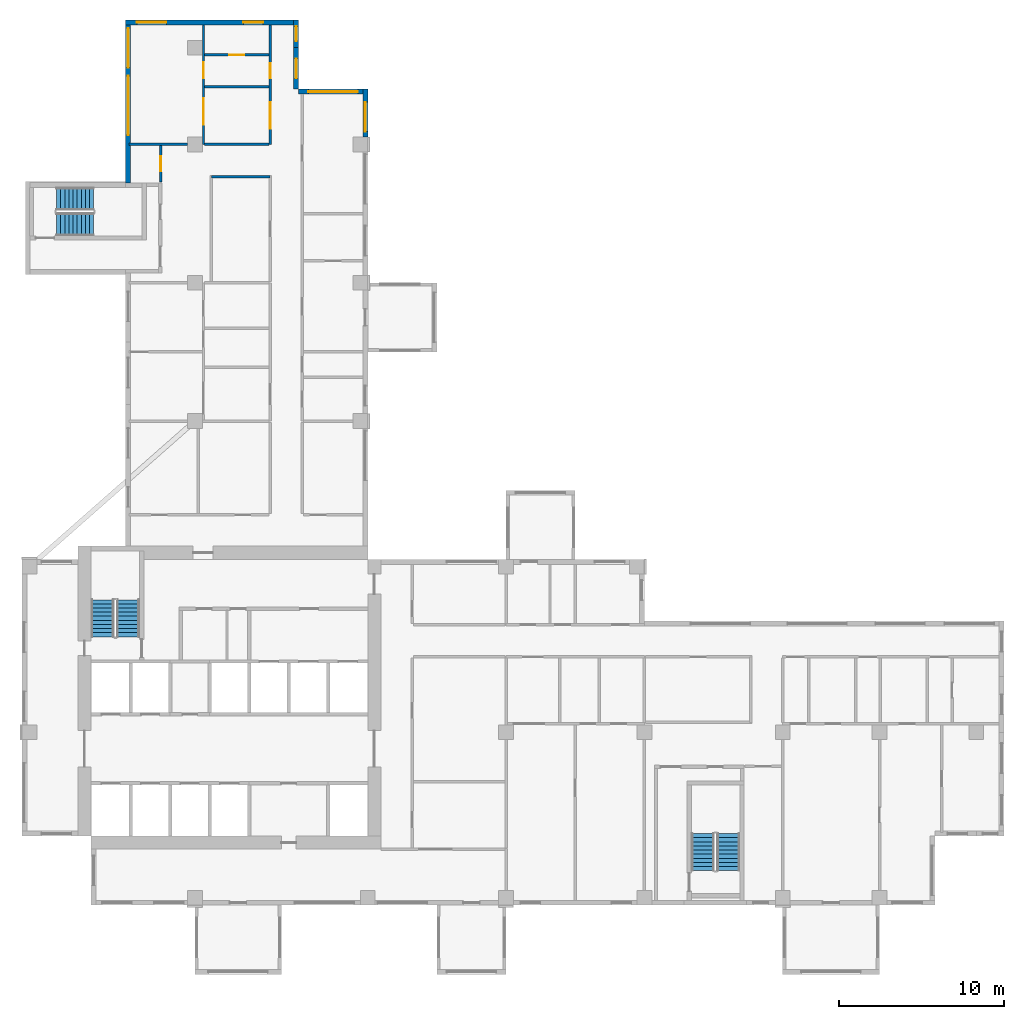
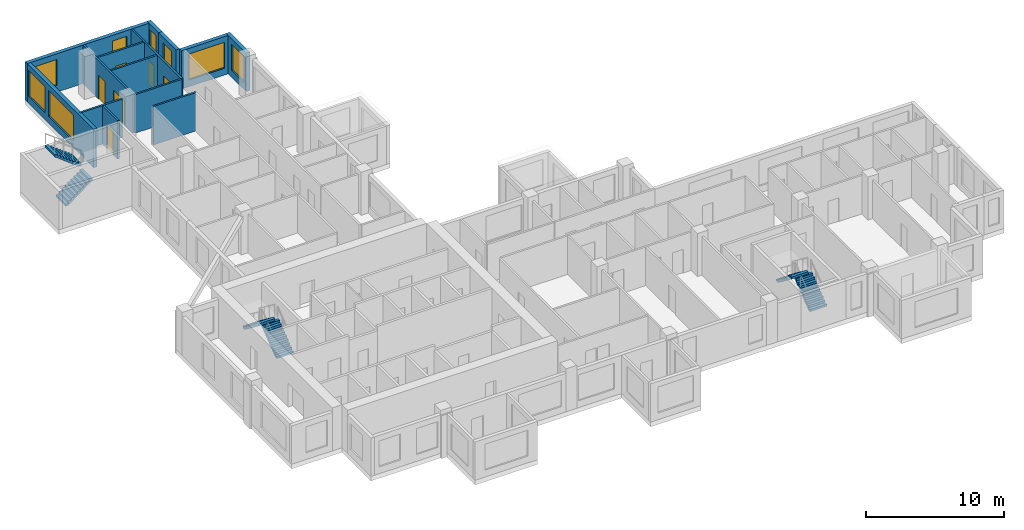
# One storey, part 8 of 12: 14 walls, 8 windows, 6 doors, 6 stair flights, 14 openings, 3 elements without a shape of their own.
"""IFC4 building model written with IfcOpenShell, lengths in metres."""

from ifc_helpers import new_model, si_unit, direction, frame, frame_2d, origin, place, context, subcontext, project, spatial, polyline, rectangle, outline, extrude, source, transform, mapped, material, layer, layer_set, type_object, element, fill, aggregate, save


model = new_model("IFC4")

# Units and contexts
model_context = context("Model", 3, precision=1e-05, world=origin(), true_north=direction((0.0, 1.0)))
body_context = subcontext(model_context, "Body", "Model", "MODEL_VIEW")
ifc_project = project(units=[si_unit("LENGTHUNIT", "METRE"), si_unit("AREAUNIT", "SQUARE_METRE"), si_unit("VOLUMEUNIT", "CUBIC_METRE"), si_unit("PLANEANGLEUNIT", "RADIAN"), si_unit("MASSUNIT", "GRAM", prefix="KILO")], contexts=[model_context])

# Site, building, storey
site_placement = place(None, origin())
site = spatial("IfcSite", under=ifc_project, at=site_placement, CompositionType="ELEMENT")
building_placement = place(site_placement, origin())
building = spatial("IfcBuilding", under=site, at=building_placement, Name="Aurelian Terraces", CompositionType="ELEMENT")
storey_placement = place(building_placement, frame((0.0, 0.0, 181.6)))
storey = spatial("IfcBuildingStorey", under=building, at=storey_placement, Name="L39", CompositionType="ELEMENT", Elevation=181.6)

# Wall, opening, window
ifc_material_1 = material(Name="Terracotta rainscreen cladding", Category="masonry")
ifc_layer_1 = layer(ifc_material_1, 0.3)
ifc_layer_set_1 = layer_set([ifc_layer_1], Name="EW-300")
wall_type_1 = type_object("IfcWallType", Name="EW-300", PredefinedType="STANDARD", material=ifc_layer_set_1)
shared_shape_1 = source(origin(), body_context, "Body", "SweptSolid", [
    extrude(rectangle(XDim=2.91, YDim=0.3, at=frame_2d((1.455, 0.0))), origin(), (0.0, 0.0, 1.0), 3.4),
])
wall_1_placement = place(storey_placement, frame((20.85, 46.65, 0.0), z_axis=(0.0, 0.0, 1.0), x_axis=(0.0, 1.0, 0.0)))
wall_1 = element("IfcWall", 1, at=wall_1_placement, inside=storey, type_object=wall_type_1, Name="External wall L39 F08.21", PredefinedType="STANDARD", context=body_context, shape_type="MappedRepresentation", body=[
    mapped(shared_shape_1, transform((0.0, 0.0, 0.0), scale=1.0)),
])
shared_shape_2 = source(origin(), body_context, "Body", "SweptSolid", [
    extrude(rectangle(XDim=1.8, YDim=2.3, at=frame_2d((0.9, 1.15))), frame((0.0, 0.16, 0.0), z_axis=(0.0, -1.0, 0.0), x_axis=(1.0, 0.0, 0.0)), (0.0, 0.0, 1.0), 0.32),
])
opening_1_placement = place(wall_1_placement, frame((0.33, 0.0, 0.6)))
opening_1 = element("IfcOpeningElement", 2, at=opening_1_placement, cuts=wall_1, Name="Opening W1823", PredefinedType="OPENING", context=body_context, shape_type="MappedRepresentation", body=[
    mapped(shared_shape_2, transform((0.0, 0.0, 0.0), scale=1.0)),
])
ifc_material_2 = material(Name="Clear glazing", Category="glass")
window_type_1 = type_object("IfcWindowType", Name="W-1800x2300", PartitioningType="SINGLE_PANEL", PredefinedType="WINDOW", material=ifc_material_2)
shared_shape_3 = source(origin(), body_context, "Body", "SweptSolid", [
    extrude(rectangle(XDim=1.8, YDim=2.3, at=frame_2d((0.9, 1.15))), frame((0.0, 0.03, 0.0), z_axis=(0.0, -1.0, 0.0), x_axis=(1.0, 0.0, 0.0)), (0.0, 0.0, 1.0), 0.06),
])
window_1_placement = place(opening_1_placement, origin())
window_1 = element("IfcWindow", 3, at=window_1_placement, inside=storey, type_object=window_type_1, Name="Window L39 L39-F08-21-0", OverallHeight=2.3, OverallWidth=1.8, PartitioningType="SINGLE_PANEL", PredefinedType="WINDOW", context=body_context, shape_type="MappedRepresentation", body=[
    mapped(shared_shape_3, transform((0.0, 0.0, 0.0), scale=1.0)),
])
fill(opening_1, window_1)

shared_shape_4 = source(origin(), body_context, "Body", "SweptSolid", [
    extrude(rectangle(XDim=4.2, YDim=0.3, at=frame_2d((2.1, 0.0))), origin(), (0.0, 0.0, 1.0), 3.4),
])
wall_2_placement = place(storey_placement, frame((21.0, 49.41, 0.0), z_axis=(0.0, 0.0, 1.0), x_axis=(-1.0, 0.0, 0.0)))
wall_2 = element("IfcWall", 4, at=wall_2_placement, inside=storey, type_object=wall_type_1, Name="External wall L39 F09.22", PredefinedType="STANDARD", context=body_context, shape_type="MappedRepresentation", body=[
    mapped(shared_shape_4, transform((0.0, 0.0, 0.0), scale=1.0)),
])
shared_shape_5 = source(origin(), body_context, "Body", "SweptSolid", [
    extrude(rectangle(XDim=3.0, YDim=2.3, at=frame_2d((1.5, 1.15))), frame((0.0, 0.16, 0.0), z_axis=(0.0, -1.0, 0.0), x_axis=(1.0, 0.0, 0.0)), (0.0, 0.0, 1.0), 0.32),
])
opening_2_placement = place(wall_2_placement, frame((0.6, 0.0, 0.6)))
opening_2 = element("IfcOpeningElement", 5, at=opening_2_placement, cuts=wall_2, Name="Opening W3023", PredefinedType="OPENING", context=body_context, shape_type="MappedRepresentation", body=[
    mapped(shared_shape_5, transform((0.0, 0.0, 0.0), scale=1.0)),
])
window_type_2 = type_object("IfcWindowType", Name="W-3000x2300", PartitioningType="SINGLE_PANEL", PredefinedType="WINDOW", material=ifc_material_2)
shared_shape_6 = source(origin(), body_context, "Body", "SweptSolid", [
    extrude(rectangle(XDim=3.0, YDim=2.3, at=frame_2d((1.5, 1.15))), frame((0.0, 0.03, 0.0), z_axis=(0.0, -1.0, 0.0), x_axis=(1.0, 0.0, 0.0)), (0.0, 0.0, 1.0), 0.06),
])
window_2_placement = place(opening_2_placement, origin())
window_2 = element("IfcWindow", 6, at=window_2_placement, inside=storey, type_object=window_type_2, Name="Window L39 L39-F09-22-0", OverallHeight=2.3, OverallWidth=3.0, PartitioningType="SINGLE_PANEL", PredefinedType="WINDOW", context=body_context, shape_type="MappedRepresentation", body=[
    mapped(shared_shape_6, transform((0.0, 0.0, 0.0), scale=1.0)),
])
fill(opening_2, window_2)

shared_shape_7 = source(origin(), body_context, "Body", "SweptSolid", [
    extrude(rectangle(XDim=2.52, YDim=0.3, at=frame_2d((1.26, 0.0))), origin(), (0.0, 0.0, 1.0), 3.4),
])
wall_3_placement = place(storey_placement, frame((16.65, 49.56, 0.0), z_axis=(0.0, 0.0, 1.0), x_axis=(0.0, 1.0, 0.0)))
wall_3 = element("IfcWall", 7, at=wall_3_placement, inside=storey, type_object=wall_type_1, Name="External wall L39 F10.23", PredefinedType="STANDARD", context=body_context, shape_type="MappedRepresentation", body=[
    mapped(shared_shape_7, transform((0.0, 0.0, 0.0), scale=1.0)),
])
shared_shape_8 = source(origin(), body_context, "Body", "SweptSolid", [
    extrude(rectangle(XDim=1.2, YDim=2.3, at=frame_2d((0.6, 1.15))), frame((0.0, 0.16, 0.0), z_axis=(0.0, -1.0, 0.0), x_axis=(1.0, 0.0, 0.0)), (0.0, 0.0, 1.0), 0.32),
])
opening_3_placement = place(wall_3_placement, frame((0.66, 0.0, 0.6)))
opening_3 = element("IfcOpeningElement", 8, at=opening_3_placement, cuts=wall_3, Name="Opening W1223", PredefinedType="OPENING", context=body_context, shape_type="MappedRepresentation", body=[
    mapped(shared_shape_8, transform((0.0, 0.0, 0.0), scale=1.0)),
])
window_type_3 = type_object("IfcWindowType", Name="W-1200x2300", PartitioningType="SINGLE_PANEL", PredefinedType="WINDOW", material=ifc_material_2)
shared_shape_9 = source(origin(), body_context, "Body", "SweptSolid", [
    extrude(rectangle(XDim=1.2, YDim=2.3, at=frame_2d((0.6, 1.15))), frame((0.0, 0.03, 0.0), z_axis=(0.0, -1.0, 0.0), x_axis=(1.0, 0.0, 0.0)), (0.0, 0.0, 1.0), 0.06),
])
window_3_placement = place(opening_3_placement, origin())
window_3 = element("IfcWindow", 9, at=window_3_placement, inside=storey, type_object=window_type_3, Name="Window L39 L39-F10-23-0", OverallHeight=2.3, OverallWidth=1.2, PartitioningType="SINGLE_PANEL", PredefinedType="WINDOW", context=body_context, shape_type="MappedRepresentation", body=[
    mapped(shared_shape_9, transform((0.0, 0.0, 0.0), scale=1.0)),
])
fill(opening_3, window_3)

shared_shape_10 = source(origin(), body_context, "Body", "SweptSolid", [
    extrude(rectangle(XDim=1.68, YDim=0.3, at=frame_2d((0.84, 0.0))), origin(), (0.0, 0.0, 1.0), 3.4),
])
wall_4_placement = place(storey_placement, frame((16.65, 52.08, 0.0), z_axis=(0.0, 0.0, 1.0), x_axis=(0.0, 1.0, 0.0)))
wall_4 = element("IfcWall", 10, at=wall_4_placement, inside=storey, type_object=wall_type_1, Name="External wall L39 F10.24", PredefinedType="STANDARD", context=body_context, shape_type="MappedRepresentation", body=[
    mapped(shared_shape_10, transform((0.0, 0.0, 0.0), scale=1.0)),
])
shared_shape_11 = source(origin(), body_context, "Body", "SweptSolid", [
    extrude(rectangle(XDim=0.9, YDim=2.3, at=frame_2d((0.45, 1.15))), frame((0.0, 0.16, 0.0), z_axis=(0.0, -1.0, 0.0), x_axis=(1.0, 0.0, 0.0)), (0.0, 0.0, 1.0), 0.32),
])
opening_4_placement = place(wall_4_placement, frame((0.39, 0.0, 0.6)))
opening_4 = element("IfcOpeningElement", 11, at=opening_4_placement, cuts=wall_4, Name="Opening W0923", PredefinedType="OPENING", context=body_context, shape_type="MappedRepresentation", body=[
    mapped(shared_shape_11, transform((0.0, 0.0, 0.0), scale=1.0)),
])
window_type_4 = type_object("IfcWindowType", Name="W-900x2300", PartitioningType="SINGLE_PANEL", PredefinedType="WINDOW", material=ifc_material_2)
shared_shape_12 = source(origin(), body_context, "Body", "SweptSolid", [
    extrude(rectangle(XDim=0.9, YDim=2.3, at=frame_2d((0.45, 1.15))), frame((0.0, 0.03, 0.0), z_axis=(0.0, -1.0, 0.0), x_axis=(1.0, 0.0, 0.0)), (0.0, 0.0, 1.0), 0.06),
])
window_4_placement = place(opening_4_placement, origin())
window_4 = element("IfcWindow", 12, at=window_4_placement, inside=storey, type_object=window_type_4, Name="Window L39 L39-F10-24-P0", OverallHeight=2.3, OverallWidth=0.9, PartitioningType="SINGLE_PANEL", PredefinedType="WINDOW", context=body_context, shape_type="MappedRepresentation", body=[
    mapped(shared_shape_12, transform((0.0, 0.0, 0.0), scale=1.0)),
])
fill(opening_4, window_4)

# Wall, openings, windows
shared_shape_13 = source(origin(), body_context, "Body", "SweptSolid", [
    extrude(rectangle(XDim=10.5, YDim=0.3, at=frame_2d((5.25, 0.0))), origin(), (0.0, 0.0, 1.0), 3.4),
])
wall_5_placement = place(storey_placement, frame((16.8, 53.61, 0.0), z_axis=(0.0, 0.0, 1.0), x_axis=(-1.0, 0.0, 0.0)))
wall_5 = element("IfcWall", 13, at=wall_5_placement, inside=storey, type_object=wall_type_1, Name="External wall L39 F11.25", PredefinedType="STANDARD", context=body_context, shape_type="MappedRepresentation", body=[
    mapped(shared_shape_13, transform((0.0, 0.0, 0.0), scale=1.0)),
])
opening_5_placement = place(wall_5_placement, frame((2.15, 0.0, 0.6)))
opening_5 = element("IfcOpeningElement", 14, at=opening_5_placement, cuts=wall_5, Name="Opening W1223", PredefinedType="OPENING", context=body_context, shape_type="MappedRepresentation", body=[
    mapped(shared_shape_8, transform((0.0, 0.0, 0.0), scale=1.0)),
])
opening_6_placement = place(wall_5_placement, frame((8.025, 0.0, 0.6)))
opening_6 = element("IfcOpeningElement", 15, at=opening_6_placement, cuts=wall_5, Name="Opening W1823", PredefinedType="OPENING", context=body_context, shape_type="MappedRepresentation", body=[
    mapped(shared_shape_2, transform((0.0, 0.0, 0.0), scale=1.0)),
])
window_5_placement = place(opening_5_placement, origin())
window_5 = element("IfcWindow", 16, at=window_5_placement, inside=storey, type_object=window_type_3, Name="Window L39 L39-F11-25-0", OverallHeight=2.3, OverallWidth=1.2, PartitioningType="SINGLE_PANEL", PredefinedType="WINDOW", context=body_context, shape_type="MappedRepresentation", body=[
    mapped(shared_shape_9, transform((0.0, 0.0, 0.0), scale=1.0)),
])
fill(opening_5, window_5)
window_6_placement = place(opening_6_placement, origin())
window_6 = element("IfcWindow", 17, at=window_6_placement, inside=storey, type_object=window_type_1, Name="Window L39 L39-F11-25-2", OverallHeight=2.3, OverallWidth=1.8, PartitioningType="SINGLE_PANEL", PredefinedType="WINDOW", context=body_context, shape_type="MappedRepresentation", body=[
    mapped(shared_shape_3, transform((0.0, 0.0, 0.0), scale=1.0)),
])
fill(opening_6, window_6)

shared_shape_14 = source(origin(), body_context, "Body", "SweptSolid", [
    extrude(rectangle(XDim=9.91, YDim=0.3, at=frame_2d((4.955, 0.0))), origin(), (0.0, 0.0, 1.0), 3.4),
])
wall_6_placement = place(storey_placement, frame((6.45, 53.76, 0.0), z_axis=(0.0, 0.0, 1.0), x_axis=(0.0, -1.0, 0.0)))
wall_6 = element("IfcWall", 18, at=wall_6_placement, inside=storey, type_object=wall_type_1, Name="External wall L39 F12.26", PredefinedType="STANDARD", context=body_context, shape_type="MappedRepresentation", body=[
    mapped(shared_shape_14, transform((0.0, 0.0, 0.0), scale=1.0)),
])
shared_shape_15 = source(origin(), body_context, "Body", "SweptSolid", [
    extrude(rectangle(XDim=3.6, YDim=2.3, at=frame_2d((1.8, 1.15))), frame((0.0, 0.16, 0.0), z_axis=(0.0, -1.0, 0.0), x_axis=(1.0, 0.0, 0.0)), (0.0, 0.0, 1.0), 0.32),
])
opening_7_placement = place(wall_6_placement, frame((3.39, 0.0, 0.6)))
opening_7 = element("IfcOpeningElement", 19, at=opening_7_placement, cuts=wall_6, Name="Opening W3623", PredefinedType="OPENING", context=body_context, shape_type="MappedRepresentation", body=[
    mapped(shared_shape_15, transform((0.0, 0.0, 0.0), scale=1.0)),
])
shared_shape_16 = source(origin(), body_context, "Body", "SweptSolid", [
    extrude(rectangle(XDim=2.4, YDim=2.3, at=frame_2d((1.2, 1.15))), frame((0.0, 0.16, 0.0), z_axis=(0.0, -1.0, 0.0), x_axis=(1.0, 0.0, 0.0)), (0.0, 0.0, 1.0), 0.32),
])
opening_8_placement = place(wall_6_placement, frame((0.495, 0.0, 0.6)))
opening_8 = element("IfcOpeningElement", 20, at=opening_8_placement, cuts=wall_6, Name="Opening W2423", PredefinedType="OPENING", context=body_context, shape_type="MappedRepresentation", body=[
    mapped(shared_shape_16, transform((0.0, 0.0, 0.0), scale=1.0)),
])
window_type_5 = type_object("IfcWindowType", Name="W-3600x2300", PartitioningType="SINGLE_PANEL", PredefinedType="WINDOW", material=ifc_material_2)
shared_shape_17 = source(origin(), body_context, "Body", "SweptSolid", [
    extrude(rectangle(XDim=3.6, YDim=2.3, at=frame_2d((1.8, 1.15))), frame((0.0, 0.03, 0.0), z_axis=(0.0, -1.0, 0.0), x_axis=(1.0, 0.0, 0.0)), (0.0, 0.0, 1.0), 0.06),
])
window_7_placement = place(opening_7_placement, origin())
window_7 = element("IfcWindow", 21, at=window_7_placement, inside=storey, type_object=window_type_5, Name="Window L39 L39-F12-26-1", OverallHeight=2.3, OverallWidth=3.6, PartitioningType="SINGLE_PANEL", PredefinedType="WINDOW", context=body_context, shape_type="MappedRepresentation", body=[
    mapped(shared_shape_17, transform((0.0, 0.0, 0.0), scale=1.0)),
])
fill(opening_7, window_7)
window_type_6 = type_object("IfcWindowType", Name="W-2400x2300", PartitioningType="SINGLE_PANEL", PredefinedType="WINDOW", material=ifc_material_2)
shared_shape_18 = source(origin(), body_context, "Body", "SweptSolid", [
    extrude(rectangle(XDim=2.4, YDim=2.3, at=frame_2d((1.2, 1.15))), frame((0.0, 0.03, 0.0), z_axis=(0.0, -1.0, 0.0), x_axis=(1.0, 0.0, 0.0)), (0.0, 0.0, 1.0), 0.06),
])
window_8_placement = place(opening_8_placement, origin())
window_8 = element("IfcWindow", 22, at=window_8_placement, inside=storey, type_object=window_type_6, Name="Window L39 L39-F12-26-G0-0", OverallHeight=2.3, OverallWidth=2.4, PartitioningType="SINGLE_PANEL", PredefinedType="WINDOW", context=body_context, shape_type="MappedRepresentation", body=[
    mapped(shared_shape_18, transform((0.0, 0.0, 0.0), scale=1.0)),
])
fill(opening_8, window_8)

# Wall
ifc_material_3 = material(Name="Gypsum board on steel studs", Category="steel")
ifc_layer_2 = layer(ifc_material_3, 0.15)
ifc_layer_set_2 = layer_set([ifc_layer_2], Name="Partition 150")
wall_type_2 = type_object("IfcWallType", Name="Partition 150", PredefinedType="PARTITIONING", material=ifc_layer_set_2)
shared_shape_19 = source(origin(), body_context, "Body", "SweptSolid", [
    extrude(rectangle(XDim=3.9, YDim=0.15, at=frame_2d((1.95, 0.0))), origin(), (0.0, 0.0, 1.0), 3.4),
])
wall_7_placement = place(storey_placement, frame((15.0, 49.7128, 0.0), z_axis=(0.0, 0.0, 1.0), x_axis=(-1.0, 0.0, 0.0)))
element("IfcWall", 23, at=wall_7_placement, inside=storey, type_object=wall_type_2, Name="Partition", PredefinedType="PARTITIONING", context=body_context, shape_type="MappedRepresentation", body=[
    mapped(shared_shape_19, transform((0.0, 0.0, 0.0), scale=1.0)),
])

# Wall, opening, door
wall_8_placement = place(storey_placement, frame((15.0, 51.638, 0.0), z_axis=(0.0, 0.0, 1.0), x_axis=(-1.0, 0.0, 0.0)))
wall_8 = element("IfcWall", 24, at=wall_8_placement, inside=storey, type_object=wall_type_2, Name="Partition", PredefinedType="PARTITIONING", context=body_context, shape_type="MappedRepresentation", body=[
    mapped(shared_shape_19, transform((0.0, 0.0, 0.0), scale=1.0)),
])
shared_shape_20 = source(origin(), body_context, "Body", "SweptSolid", [
    extrude(rectangle(XDim=0.9, YDim=2.1, at=frame_2d((0.45, 1.05))), frame((0.0, 0.085, 0.0), z_axis=(0.0, -1.0, 0.0), x_axis=(1.0, 0.0, 0.0)), (0.0, 0.0, 1.0), 0.17),
])
opening_9_placement = place(wall_8_placement, frame((1.5, 0.0, 0.0)))
opening_9 = element("IfcOpeningElement", 25, at=opening_9_placement, cuts=wall_8, Name="Opening 739045", PredefinedType="OPENING", context=body_context, shape_type="MappedRepresentation", body=[
    mapped(shared_shape_20, transform((0.0, 0.0, 0.0), scale=1.0)),
])
ifc_material_4 = material(Name="Timber door leaf", Category="wood")
door_type_1 = type_object("IfcDoorType", Name="Room door 900x2100 left", OperationType="SINGLE_SWING_LEFT", PredefinedType="DOOR", material=ifc_material_4)
shared_shape_21 = source(origin(), body_context, "Body", "SweptSolid", [
    extrude(rectangle(XDim=0.9, YDim=2.1, at=frame_2d((0.45, 1.05))), frame((0.0, 0.025, 0.0), z_axis=(0.0, -1.0, 0.0), x_axis=(1.0, 0.0, 0.0)), (0.0, 0.0, 1.0), 0.05),
])
door_1_placement = place(opening_9_placement, origin())
door_1 = element("IfcDoor", 26, at=door_1_placement, inside=storey, type_object=door_type_1, Name="Door 739045", OperationType="SINGLE_SWING_LEFT", OverallHeight=2.1, OverallWidth=0.9, PredefinedType="DOOR", context=body_context, shape_type="MappedRepresentation", body=[
    mapped(shared_shape_21, transform((0.0, 0.0, 0.0), scale=1.0)),
])
fill(opening_9, door_1)

# Wall
ifc_layer_3 = layer(ifc_material_3, 0.15)
ifc_layer_set_3 = layer_set([ifc_layer_3], Name="Fire partition 150")
wall_type_3 = type_object("IfcWallType", Name="Fire partition 150", PredefinedType="PARTITIONING", material=ifc_layer_set_3)
wall_9_placement = place(storey_placement, frame((15.0, 46.2, 0.0), z_axis=(0.0, 0.0, 1.0), x_axis=(-1.0, 0.0, 0.0)))
element("IfcWall", 27, at=wall_9_placement, inside=storey, type_object=wall_type_3, Name="Party wall", PredefinedType="PARTITIONING", context=body_context, shape_type="MappedRepresentation", body=[
    mapped(shared_shape_19, transform((0.0, 0.0, 0.0), scale=1.0)),
])

# Wall, opening, door
shared_shape_22 = source(origin(), body_context, "Body", "SweptSolid", [
    extrude(rectangle(XDim=2.2, YDim=0.15, at=frame_2d((1.1, 0.0))), origin(), (0.0, 0.0, 1.0), 3.4),
])
wall_10_placement = place(storey_placement, frame((8.425, 43.925, 0.0), z_axis=(0.0, 0.0, 1.0), x_axis=(0.0, 1.0, 0.0)))
wall_10 = element("IfcWall", 28, at=wall_10_placement, inside=storey, type_object=wall_type_2, Name="Partition", PredefinedType="PARTITIONING", context=body_context, shape_type="MappedRepresentation", body=[
    mapped(shared_shape_22, transform((0.0, 0.0, 0.0), scale=1.0)),
])
opening_10_placement = place(wall_10_placement, frame((0.65, 0.0, 0.0)))
opening_10 = element("IfcOpeningElement", 29, at=opening_10_placement, cuts=wall_10, Name="Opening 739026", PredefinedType="OPENING", context=body_context, shape_type="MappedRepresentation", body=[
    mapped(shared_shape_20, transform((0.0, 0.0, 0.0), scale=1.0)),
])
door_2_placement = place(opening_10_placement, origin())
door_2 = element("IfcDoor", 30, at=door_2_placement, inside=storey, type_object=door_type_1, Name="Door 739026", OperationType="SINGLE_SWING_LEFT", OverallHeight=2.1, OverallWidth=0.9, PredefinedType="DOOR", context=body_context, shape_type="MappedRepresentation", body=[
    mapped(shared_shape_21, transform((0.0, 0.0, 0.0), scale=1.0)),
])
fill(opening_10, door_2)

# Wall
shared_shape_23 = source(origin(), body_context, "Body", "SweptSolid", [
    extrude(rectangle(XDim=3.546, YDim=0.15, at=frame_2d((1.773, 0.0))), origin(), (0.0, 0.0, 1.0), 3.4),
])
wall_11_placement = place(storey_placement, frame((10.051, 46.2, 0.0), z_axis=(0.0, 0.0, 1.0), x_axis=(-1.0, 0.0, 0.0)))
element("IfcWall", 31, at=wall_11_placement, inside=storey, type_object=wall_type_3, Name="Party wall", PredefinedType="PARTITIONING", context=body_context, shape_type="MappedRepresentation", body=[
    mapped(shared_shape_23, transform((0.0, 0.0, 0.0), scale=1.0)),
])

# Wall, openings, doors
shared_shape_24 = source(origin(), body_context, "Body", "SweptSolid", [
    extrude(rectangle(XDim=7.26, YDim=0.15, at=frame_2d((3.63, 0.0))), origin(), (0.0, 0.0, 1.0), 3.4),
])
wall_12_placement = place(storey_placement, frame((11.025, 46.2, 0.0), z_axis=(0.0, 0.0, 1.0), x_axis=(0.0, 1.0, 0.0)))
wall_12 = element("IfcWall", 32, at=wall_12_placement, inside=storey, type_object=wall_type_2, Name="Partition", PredefinedType="PARTITIONING", context=body_context, shape_type="MappedRepresentation", body=[
    mapped(shared_shape_24, transform((0.0, 0.0, 0.0), scale=1.0)),
])
shared_shape_25 = source(origin(), body_context, "Body", "SweptSolid", [
    extrude(rectangle(XDim=1.6, YDim=2.1, at=frame_2d((0.8, 1.05))), frame((0.0, 0.085, 0.0), z_axis=(0.0, -1.0, 0.0), x_axis=(1.0, 0.0, 0.0)), (0.0, 0.0, 1.0), 0.17),
])
opening_11_placement = place(wall_12_placement, frame((1.1939, 0.0, 0.0)))
opening_11 = element("IfcOpeningElement", 33, at=opening_11_placement, cuts=wall_12, Name="Opening 739034", PredefinedType="OPENING", context=body_context, shape_type="MappedRepresentation", body=[
    mapped(shared_shape_25, transform((0.0, 0.0, 0.0), scale=1.0)),
])
shared_shape_26 = source(origin(), body_context, "Body", "SweptSolid", [
    extrude(rectangle(XDim=1.0, YDim=2.1, at=frame_2d((0.5, 1.05))), frame((0.0, 0.085, 0.0), z_axis=(0.0, -1.0, 0.0), x_axis=(1.0, 0.0, 0.0)), (0.0, 0.0, 1.0), 0.17),
])
opening_12_placement = place(wall_12_placement, frame((4.0089, 0.0, 0.0)))
opening_12 = element("IfcOpeningElement", 34, at=opening_12_placement, cuts=wall_12, Name="Opening 739035", PredefinedType="OPENING", context=body_context, shape_type="MappedRepresentation", body=[
    mapped(shared_shape_26, transform((0.0, 0.0, 0.0), scale=1.0)),
])
door_type_2 = type_object("IfcDoorType", Name="Room door 1000x2100 right", OperationType="SINGLE_SWING_RIGHT", PredefinedType="DOOR", material=ifc_material_4)
shared_shape_27 = source(origin(), body_context, "Body", "SweptSolid", [
    extrude(rectangle(XDim=1.0, YDim=2.1, at=frame_2d((0.5, 1.05))), frame((0.0, 0.025, 0.0), z_axis=(0.0, -1.0, 0.0), x_axis=(1.0, 0.0, 0.0)), (0.0, 0.0, 1.0), 0.05),
])
door_3_placement = place(opening_12_placement, origin())
door_3 = element("IfcDoor", 35, at=door_3_placement, inside=storey, type_object=door_type_2, Name="Door 739035", OperationType="SINGLE_SWING_RIGHT", OverallHeight=2.1, OverallWidth=1.0, PredefinedType="DOOR", context=body_context, shape_type="MappedRepresentation", body=[
    mapped(shared_shape_27, transform((0.0, 0.0, 0.0), scale=1.0)),
])
fill(opening_12, door_3)
door_type_3 = type_object("IfcDoorType", Name="Room door 1600x2100 left", OperationType="SINGLE_SWING_LEFT", PredefinedType="DOOR", material=ifc_material_4)
shared_shape_28 = source(origin(), body_context, "Body", "SweptSolid", [
    extrude(rectangle(XDim=1.6, YDim=2.1, at=frame_2d((0.8, 1.05))), frame((0.0, 0.025, 0.0), z_axis=(0.0, -1.0, 0.0), x_axis=(1.0, 0.0, 0.0)), (0.0, 0.0, 1.0), 0.05),
])
door_4_placement = place(opening_11_placement, origin())
door_4 = element("IfcDoor", 36, at=door_4_placement, inside=storey, type_object=door_type_3, Name="Door 739034", OperationType="SINGLE_SWING_LEFT", OverallHeight=2.1, OverallWidth=1.6, PredefinedType="DOOR", context=body_context, shape_type="MappedRepresentation", body=[
    mapped(shared_shape_28, transform((0.0, 0.0, 0.0), scale=1.0)),
])
fill(opening_11, door_4)

wall_13_placement = place(storey_placement, frame((15.075, 46.2, 0.0), z_axis=(0.0, 0.0, 1.0), x_axis=(0.0, 1.0, 0.0)))
wall_13 = element("IfcWall", 37, at=wall_13_placement, inside=storey, type_object=wall_type_3, Name="Corridor wall", PredefinedType="PARTITIONING", context=body_context, shape_type="MappedRepresentation", body=[
    mapped(shared_shape_24, transform((0.0, 0.0, 0.0), scale=1.0)),
])
opening_13_placement = place(wall_13_placement, frame((0.9564, 0.0, 0.0)))
opening_13 = element("IfcOpeningElement", 38, at=opening_13_placement, cuts=wall_13, Name="Opening 739033", PredefinedType="OPENING", context=body_context, shape_type="MappedRepresentation", body=[
    mapped(shared_shape_25, transform((0.0, 0.0, 0.0), scale=1.0)),
])
opening_14_placement = place(wall_13_placement, frame((4.0254, 0.0, 0.0)))
opening_14 = element("IfcOpeningElement", 39, at=opening_14_placement, cuts=wall_13, Name="Opening 739036", PredefinedType="OPENING", context=body_context, shape_type="MappedRepresentation", body=[
    mapped(shared_shape_20, transform((0.0, 0.0, 0.0), scale=1.0)),
])
ifc_material_5 = material(Name="Steel door leaf", Category="steel")
door_type_4 = type_object("IfcDoorType", Name="Entrance fire door 900x2100 right", OperationType="SINGLE_SWING_RIGHT", PredefinedType="DOOR", material=ifc_material_5)
door_5_placement = place(opening_14_placement, origin())
door_5 = element("IfcDoor", 40, at=door_5_placement, inside=storey, type_object=door_type_4, Name="Door 739036", OperationType="SINGLE_SWING_RIGHT", OverallHeight=2.1, OverallWidth=0.9, PredefinedType="DOOR", context=body_context, shape_type="MappedRepresentation", body=[
    mapped(shared_shape_21, transform((0.0, 0.0, 0.0), scale=1.0)),
])
fill(opening_14, door_5)
door_type_5 = type_object("IfcDoorType", Name="Entrance fire door 1600x2100 right", OperationType="SINGLE_SWING_RIGHT", PredefinedType="DOOR", material=ifc_material_5)
door_6_placement = place(opening_13_placement, origin())
door_6 = element("IfcDoor", 41, at=door_6_placement, inside=storey, type_object=door_type_5, Name="Door 739033", OperationType="SINGLE_SWING_RIGHT", OverallHeight=2.1, OverallWidth=1.6, PredefinedType="DOOR", context=body_context, shape_type="MappedRepresentation", body=[
    mapped(shared_shape_28, transform((0.0, 0.0, 0.0), scale=1.0)),
])
fill(opening_13, door_6)

# Wall
shared_shape_29 = source(origin(), body_context, "Body", "SweptSolid", [
    extrude(rectangle(XDim=3.575, YDim=0.15, at=frame_2d((1.7875, 0.0))), origin(), (0.0, 0.0, 1.0), 3.4),
])
wall_14_placement = place(storey_placement, frame((15.075, 44.25, 0.0), z_axis=(0.0, 0.0, 1.0), x_axis=(-1.0, 0.0, 0.0)))
element("IfcWall", 42, at=wall_14_placement, inside=storey, type_object=wall_type_2, Name="Partition", PredefinedType="PARTITIONING", context=body_context, shape_type="MappedRepresentation", body=[
    mapped(shared_shape_29, transform((0.0, 0.0, 0.0), scale=1.0)),
])

# Stair, stair flights
ifc_material_6 = material(Name="Concrete fc' 40 MPa", Category="concrete")
stair_type = type_object("IfcStairType", Name="Stair 1400", PredefinedType="HALF_TURN_STAIR", material=ifc_material_6)
stair_1_placement = place(storey_placement, origin())
stair_1 = element("IfcStair", 43, at=stair_1_placement, inside=storey, type_object=stair_type, Name="L39 S1", PredefinedType="HALF_TURN_STAIR")
stair_flight_type = type_object("IfcStairFlightType", Name="Stair flight 1400", PredefinedType="STRAIGHT", material=ifc_material_6)
shared_shape_30 = source(origin(), body_context, "Body", "SweptSolid", [
    extrude(outline(polyline([(0.0, 0.0), (0.0, 0.19), (0.25, 0.19), (0.25, 0.38), (0.5, 0.38), (0.5, 0.57), (0.75, 0.57), (0.75, 0.76), (1.0, 0.76), (1.0, 0.95), (1.25, 0.95), (1.25, 1.14), (1.5, 1.14), (1.5, 1.33), (1.75, 1.33), (1.75, 1.52), (2.0, 1.52), (2.0, 1.71), (2.25, 1.71), (2.25, 1.9), (2.25, 1.5216), (0.2479, 0.0), (0.0, 0.0)])), frame((0.0, 0.7, 0.0), z_axis=(0.0, -1.0, 0.0), x_axis=(1.0, 0.0, 0.0)), (0.0, 0.0, 1.0), 1.4),
])
stair_flight_1_placement = place(storey_placement, frame((6.45, 16.3, 2e-08), z_axis=(0.0, 0.0, 1.0), x_axis=(0.0, 1.0, 0.0)))
stair_flight_1 = element("IfcStairFlight", 44, at=stair_flight_1_placement, type_object=stair_flight_type, Name="S1 flight 1", NumberOfRisers=10, NumberOfTreads=9, PredefinedType="STRAIGHT", RiserHeight=0.19, TreadLength=0.25, context=body_context, shape_type="MappedRepresentation", body=[
    mapped(shared_shape_30, transform((0.0, 0.0, 0.0), scale=1.0)),
])
stair_flight_2_placement = place(storey_placement, frame((4.9, 18.55, 1.9000000200000058), z_axis=(0.0, 0.0, 1.0), x_axis=(0.0, -1.0, 0.0)))
stair_flight_2 = element("IfcStairFlight", 45, at=stair_flight_2_placement, type_object=stair_flight_type, Name="S1 flight 2", NumberOfRisers=10, NumberOfTreads=9, PredefinedType="STRAIGHT", RiserHeight=0.19, TreadLength=0.25, context=body_context, shape_type="MappedRepresentation", body=[
    mapped(shared_shape_30, transform((0.0, 0.0, 0.0), scale=1.0)),
])
aggregate(stair_1, [stair_flight_1, stair_flight_2])

stair_2_placement = place(storey_placement, origin())
stair_2 = element("IfcStair", 46, at=stair_2_placement, inside=storey, type_object=stair_type, Name="L39 S2", PredefinedType="HALF_TURN_STAIR")
stair_flight_3_placement = place(storey_placement, frame((42.9, 2.1, 2e-08), z_axis=(0.0, 0.0, 1.0), x_axis=(0.0, 1.0, 0.0)))
stair_flight_3 = element("IfcStairFlight", 47, at=stair_flight_3_placement, type_object=stair_flight_type, Name="S2 flight 1", NumberOfRisers=10, NumberOfTreads=9, PredefinedType="STRAIGHT", RiserHeight=0.19, TreadLength=0.25, context=body_context, shape_type="MappedRepresentation", body=[
    mapped(shared_shape_30, transform((0.0, 0.0, 0.0), scale=1.0)),
])
stair_flight_4_placement = place(storey_placement, frame((41.35, 4.35, 1.9000000200000058), z_axis=(0.0, 0.0, 1.0), x_axis=(0.0, -1.0, 0.0)))
stair_flight_4 = element("IfcStairFlight", 48, at=stair_flight_4_placement, type_object=stair_flight_type, Name="S2 flight 2", NumberOfRisers=10, NumberOfTreads=9, PredefinedType="STRAIGHT", RiserHeight=0.19, TreadLength=0.25, context=body_context, shape_type="MappedRepresentation", body=[
    mapped(shared_shape_30, transform((0.0, 0.0, 0.0), scale=1.0)),
])
aggregate(stair_2, [stair_flight_3, stair_flight_4])

stair_3_placement = place(storey_placement, origin())
stair_3 = element("IfcStair", 49, at=stair_3_placement, inside=storey, type_object=stair_type, Name="L39 S3", PredefinedType="HALF_TURN_STAIR")
stair_flight_5_placement = place(storey_placement, frame((2.1, 41.35, 2e-08), z_axis=(0.0, 0.0, 1.0), x_axis=(1.0, 0.0, 0.0)))
stair_flight_5 = element("IfcStairFlight", 50, at=stair_flight_5_placement, type_object=stair_flight_type, Name="S3 flight 1", NumberOfRisers=10, NumberOfTreads=9, PredefinedType="STRAIGHT", RiserHeight=0.19, TreadLength=0.25, context=body_context, shape_type="MappedRepresentation", body=[
    mapped(shared_shape_30, transform((0.0, 0.0, 0.0), scale=1.0)),
])
stair_flight_6_placement = place(storey_placement, frame((4.35, 42.9, 1.9000000200000058), z_axis=(0.0, 0.0, 1.0), x_axis=(-1.0, 0.0, 0.0)))
stair_flight_6 = element("IfcStairFlight", 51, at=stair_flight_6_placement, type_object=stair_flight_type, Name="S3 flight 2", NumberOfRisers=10, NumberOfTreads=9, PredefinedType="STRAIGHT", RiserHeight=0.19, TreadLength=0.25, context=body_context, shape_type="MappedRepresentation", body=[
    mapped(shared_shape_30, transform((0.0, 0.0, 0.0), scale=1.0)),
])
aggregate(stair_3, [stair_flight_5, stair_flight_6])

save(model, "model.ifc")
